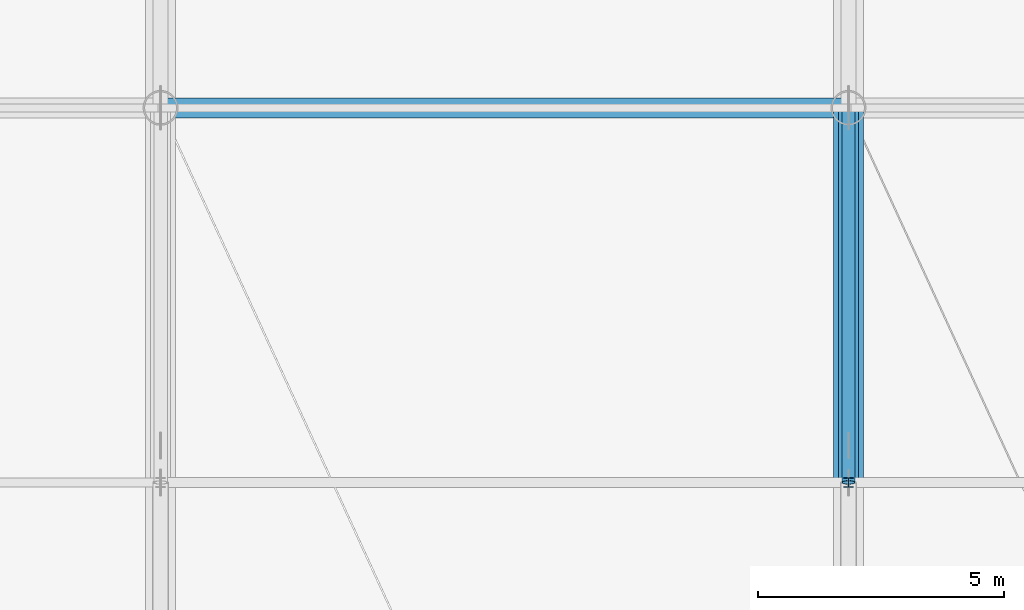
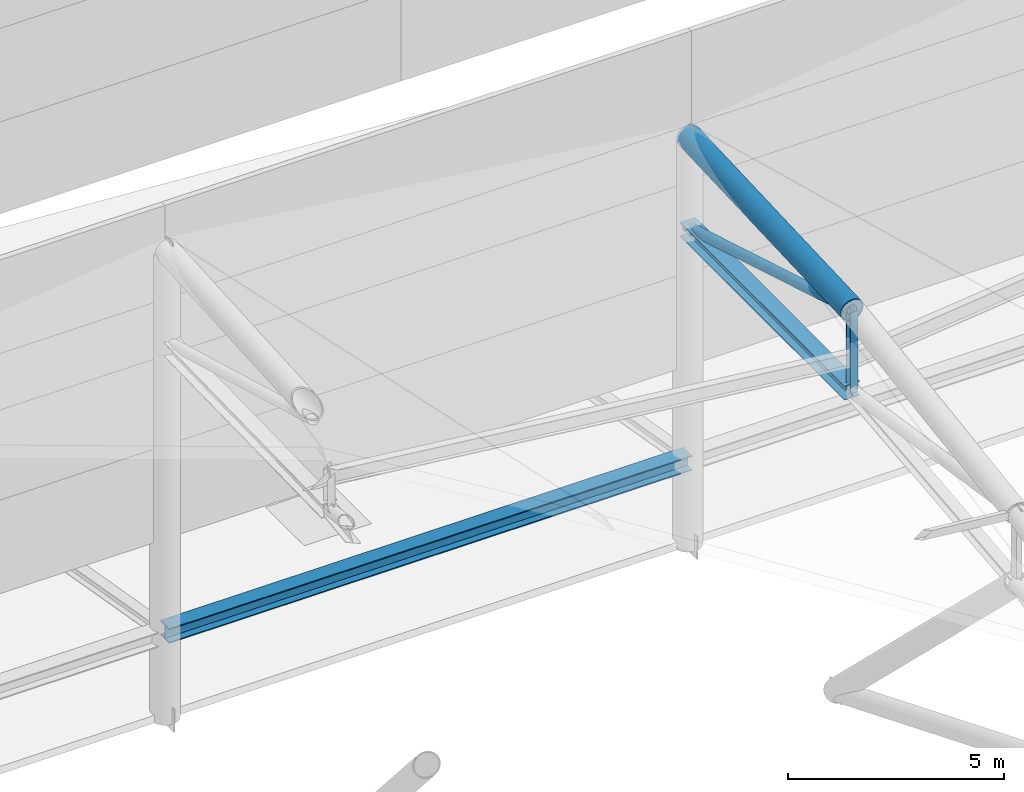
# One storey, part 62 of 113: 4 members, 1 beam.
"""IFC4 building model written with IfcOpenShell, lengths in metres."""

from ifc_helpers import new_model, si_unit, direction, frame, origin, origin_2d, place, context, subcontext, project, spatial, hollow_circle, i_section, extrude, material, material_profile, profile_set, type_object, element, save


model = new_model("IFC4")

# Units and contexts
model_context = context("Model", 3, precision=1e-05, world=origin(), true_north=direction((0.0, 1.0)))
body_context = subcontext(model_context, "Body", "Model", "MODEL_VIEW")
ifc_project = project(units=[si_unit("LENGTHUNIT", "METRE"), si_unit("AREAUNIT", "SQUARE_METRE"), si_unit("VOLUMEUNIT", "CUBIC_METRE"), si_unit("PLANEANGLEUNIT", "RADIAN"), si_unit("MASSUNIT", "GRAM", prefix="KILO")], contexts=[model_context])

# Site, building, storey
site_placement = place(None, origin())
site = spatial("IfcSite", under=ifc_project, at=site_placement, CompositionType="ELEMENT")
building_placement = place(site_placement, origin())
building = spatial("IfcBuilding", under=site, at=building_placement, Name="Linyun Crest Stadium", CompositionType="ELEMENT")
storey_placement = place(building_placement, frame((0.0, 0.0, 26.39990234375)))
storey = spatial("IfcBuildingStorey", under=building, at=storey_placement, Name="L06", CompositionType="ELEMENT", Elevation=26.39990234375)

# Beam
ifc_material_1 = material(Name="Steel Q420C", Category="steel")
ifc_material_profile_1 = material_profile(ifc_material_1, i_section(OverallWidth=0.405029296875, OverallDepth=0.4140625, WebThickness=0.01806640625, FlangeThickness=0.028076171875, at=origin_2d()), Name="HW 414x405")
ifc_profile_set_1 = profile_set([ifc_material_profile_1], Name="Steel Q420C")
beam_type = type_object("IfcBeamType", Name="HB04", PredefinedType="USERDEFINED", material=ifc_profile_set_1)
beam_placement = place(storey_placement, frame((0.0, 91.5, 2.18505859375), z_axis=(1.0, 0.0, 0.0), x_axis=(0.0, 1.0, 0.0)))
element("IfcBeam", 1, at=beam_placement, inside=storey, type_object=beam_type, Name="Roof Outer compression ring beam HB04 V3 34", ObjectType="RING BEAM", PredefinedType="USERDEFINED", context=body_context, shape_type="SweptSolid", body=[
    extrude(i_section(OverallWidth=0.405029296875, OverallDepth=0.4140625, WebThickness=0.01806640625, FlangeThickness=0.028076171875, at=origin_2d()), origin(), (0.0, 0.0, 1.0), 14.0),
])

# Members
ifc_material_2 = material(Name="Steel Q420C", Category="steel")
ifc_material_profile_2 = material_profile(ifc_material_2, hollow_circle(Radius=0.304931640625, WallThickness=0.030029296875, at=origin_2d()), Name="CHS 610x30")
ifc_profile_set_2 = profile_set([ifc_material_profile_2], Name="Steel Q420C")
member_type_1 = type_object("IfcMemberType", Name="TC02", PredefinedType="CHORD", material=ifc_profile_set_2)
member_1_placement = place(storey_placement, frame((14.0, 91.5, 11.35009765625), z_axis=(0.0, -0.999087698653, -0.042705624926), x_axis=(1.0, 0.0, 0.0)))
element("IfcMember", 2, at=member_1_placement, inside=storey, type_object=member_type_1, Name="Roof truss top chord TC02 V3 420", PredefinedType="CHORD", context=body_context, shape_type="SweptSolid", body=[
    extrude(hollow_circle(Radius=0.304931640625, WallThickness=0.030029296875, at=origin_2d()), origin(), (0.0, 0.0, 1.0), 7.632080078125),
])
ifc_material_3 = material(Name="Steel Q420C", Category="steel")
ifc_material_profile_3 = material_profile(ifc_material_3, i_section(OverallWidth=0.407958984375, OverallDepth=0.39990234375, WebThickness=0.02099609375, FlangeThickness=0.02099609375, at=origin_2d()), Name="HW 400x408")
ifc_profile_set_3 = profile_set([ifc_material_profile_3], Name="Steel Q420C")
member_type_2 = type_object("IfcMemberType", Name="TC04", PredefinedType="CHORD", material=ifc_profile_set_3)
member_2_placement = place(storey_placement, frame((14.0, 91.5, 8.75), z_axis=(0.0, -0.999998334598, -0.00182504819), x_axis=(1.0, 0.0, 0.0)))
element("IfcMember", 3, at=member_2_placement, inside=storey, type_object=member_type_2, Name="Roof truss bottom chord TC04 V3 421", PredefinedType="CHORD", context=body_context, shape_type="SweptSolid", body=[
    extrude(i_section(OverallWidth=0.407958984375, OverallDepth=0.39990234375, WebThickness=0.02099609375, FlangeThickness=0.02099609375, at=origin_2d()), origin(), (0.0, 0.0, 1.0), 7.625),
])
ifc_material_4 = material(Name="Steel Q355C", Category="steel")
ifc_material_profile_4 = material_profile(ifc_material_4, hollow_circle(Radius=0.136474609375, WallThickness=0.013916015625, at=origin_2d()), Name="CHS 273x14")
ifc_profile_set_4 = profile_set([ifc_material_profile_4], Name="Steel Q355C")
member_type_3 = type_object("IfcMemberType", Name="TD01", PredefinedType="BRACE", material=ifc_profile_set_4)
member_3_placement = place(storey_placement, frame((14.0, 91.5, 8.75), z_axis=(0.0, -0.958286139025, 0.285810559203), x_axis=(1.0, 0.0, 0.0)))
element("IfcMember", 4, at=member_3_placement, inside=storey, type_object=member_type_3, Name="Roof truss diagonal TD01 V3 422", PredefinedType="BRACE", context=body_context, shape_type="SweptSolid", body=[
    extrude(hollow_circle(Radius=0.136474609375, WallThickness=0.013916015625, at=origin_2d()), origin(), (0.0, 0.0, 1.0), 7.95703125),
])
ifc_material_5 = material(Name="Steel Q355C", Category="steel")
ifc_material_profile_5 = material_profile(ifc_material_5, i_section(OverallWidth=0.199951171875, OverallDepth=0.199951171875, WebThickness=0.008056640625, FlangeThickness=0.011962890625, at=origin_2d()), Name="HW 200x200")
ifc_profile_set_5 = profile_set([ifc_material_profile_5], Name="Steel Q355C")
member_type_4 = type_object("IfcMemberType", Name="TV02", PredefinedType="STRUT", material=ifc_profile_set_5)
member_4_placement = place(storey_placement, frame((14.0, 83.875, 8.736083984375), z_axis=(0.0, 0.0, 1.0), x_axis=(1.0, 0.0, 0.0)))
element("IfcMember", 5, at=member_4_placement, inside=storey, type_object=member_type_4, Name="Roof vertical strut TV02 V3 426", PredefinedType="STRUT", context=body_context, shape_type="SweptSolid", body=[
    extrude(i_section(OverallWidth=0.199951171875, OverallDepth=0.199951171875, WebThickness=0.008056640625, FlangeThickness=0.011962890625, at=origin_2d()), origin(), (0.0, 0.0, 1.0), 2.2880859375),
])

save(model, "model.ifc")
